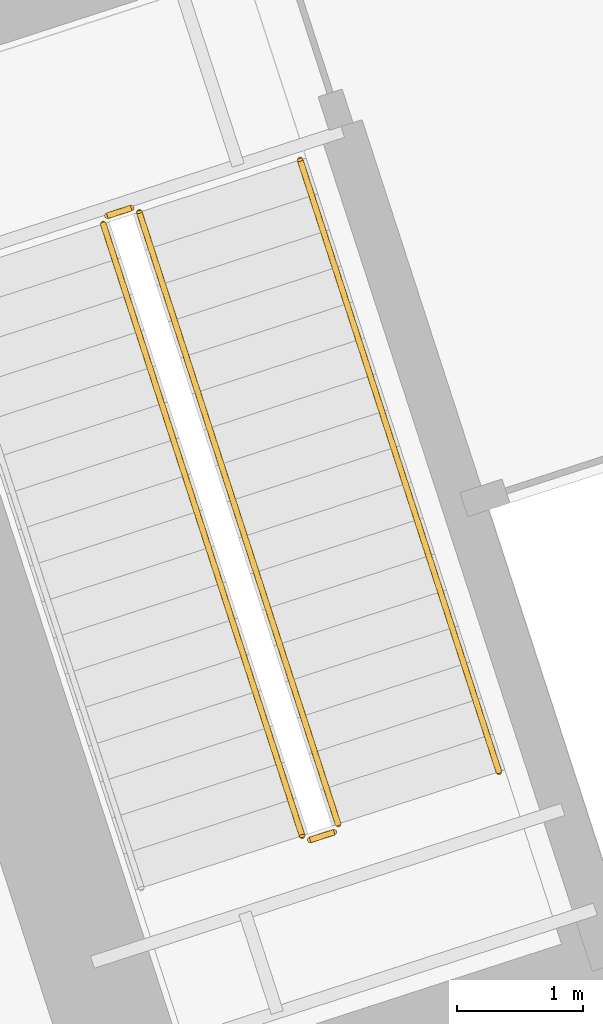
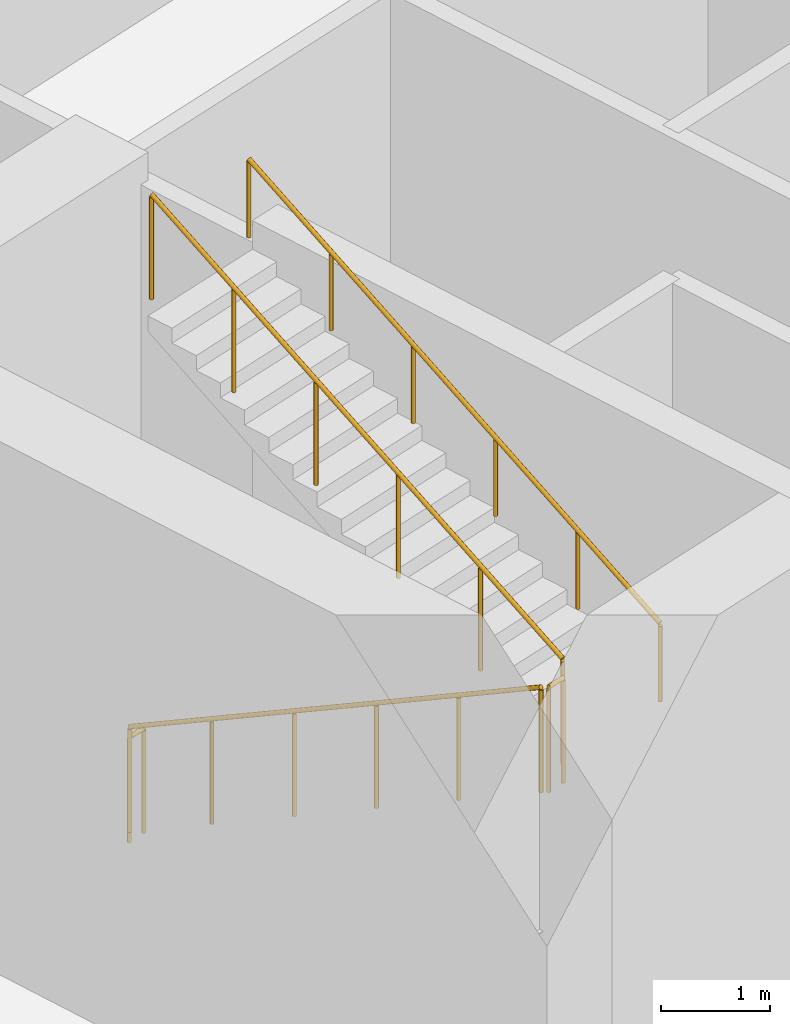
# One storey, part 25 of 31: 5 railings.
"""IFC4 building model written with IfcOpenShell, lengths in metres."""

from ifc_helpers import new_model, si_unit, direction, frame, origin, origin_2d, place, context, subcontext, project, spatial, circle, extrude, material, type_object, element, save


model = new_model("IFC4")

# Units and contexts
model_context = context("Model", 3, precision=1e-05, world=origin(), true_north=direction((0.0, 1.0)))
body_context = subcontext(model_context, "Body", "Model", "MODEL_VIEW")
ifc_project = project(units=[si_unit("LENGTHUNIT", "METRE"), si_unit("AREAUNIT", "SQUARE_METRE"), si_unit("VOLUMEUNIT", "CUBIC_METRE"), si_unit("PLANEANGLEUNIT", "RADIAN"), si_unit("MASSUNIT", "GRAM", prefix="KILO")], contexts=[model_context])

# Site, building, storey
site_placement = place(None, origin())
site = spatial("IfcSite", under=ifc_project, at=site_placement, CompositionType="ELEMENT")
building_placement = place(site_placement, origin())
building = spatial("IfcBuilding", under=site, at=building_placement, Name="Qiaolan Cultural Towers", CompositionType="ELEMENT")
storey_placement = place(building_placement, origin())
storey = spatial("IfcBuildingStorey", under=building, at=storey_placement, Name="L00", CompositionType="ELEMENT", Elevation=0.0)

# Railings
ifc_material_1 = material(Name="Galvanized Painted Steel Stair Guardrail", Category="steel")
railing_type_1 = type_object("IfcRailingType", Name="RL-STAIR-GRD", PredefinedType="GUARDRAIL", material=ifc_material_1)
railing_1_placement = place(storey_placement, frame((88.60205078125, 19.82421875, 0.166748046875)))
element("IfcRailing", 1, at=railing_1_placement, inside=storey, type_object=railing_type_1, Name="L00 ST-E1 stair guard 1", PredefinedType="GUARDRAIL", context=body_context, shape_type="SweptSolid", body=[
    extrude(circle(Radius=0.02392578125, at=origin_2d()), frame((0.0, 0.0, 1.17578125), z_axis=(0.270162499604, -0.831369017911, 0.485631320927), x_axis=(0.951044973649, 0.30905251673, 0.0)), (0.0, 0.0, 1.0), 5.834228515625),
    extrude(circle(Radius=0.02099609375, at=origin_2d()), origin(), (0.0, 0.0, 1.0), 1.15185546875),
    extrude(circle(Radius=0.02099609375, at=origin_2d()), frame((0.315185546875, -0.969970703125, 0.566650390625)), (0.0, 0.0, 1.0), 1.15185546875),
    extrude(circle(Radius=0.02099609375, at=origin_2d()), frame((0.63037109375, -1.940185546875, 1.13330078125)), (0.0, 0.0, 1.0), 1.15185546875),
    extrude(circle(Radius=0.02099609375, at=origin_2d()), frame((0.94580078125, -2.91015625, 1.699951171875)), (0.0, 0.0, 1.0), 1.15185546875),
    extrude(circle(Radius=0.02099609375, at=origin_2d()), frame((1.260986328125, -3.88037109375, 2.2666015625)), (0.0, 0.0, 1.0), 1.15185546875),
    extrude(circle(Radius=0.02099609375, at=origin_2d()), frame((1.576171875, -4.850341796875, 2.833251953125)), (0.0, 0.0, 1.0), 1.15185546875),
])
railing_2_placement = place(storey_placement, frame((90.2412109375, 14.941650390625, 3.0)))
element("IfcRailing", 2, at=railing_2_placement, inside=storey, type_object=railing_type_1, Name="L00 ST-E1 stair guard 2", PredefinedType="GUARDRAIL", context=body_context, shape_type="SweptSolid", body=[
    extrude(circle(Radius=0.02392578125, at=origin_2d()), frame((0.0, 0.0, 1.17578125), z_axis=(0.951096855055, 0.308892816854, 0.0), x_axis=(-0.308892816854, 0.951096855055, 0.0)), (0.0, 0.0, 1.0), 0.199951171875),
    extrude(circle(Radius=0.02099609375, at=origin_2d()), origin(), (0.0, 0.0, 1.0), 1.15185546875),
    extrude(circle(Radius=0.02099609375, at=origin_2d()), frame((0.190185546875, 0.061767578125, 0.0)), (0.0, 0.0, 1.0), 1.15185546875),
])
railing_3_placement = place(storey_placement, frame((90.46337890625, 15.066650390625, 3.166748046875)))
element("IfcRailing", 3, at=railing_3_placement, inside=storey, type_object=railing_type_1, Name="L00 ST-E1 stair guard 3", PredefinedType="GUARDRAIL", context=body_context, shape_type="SweptSolid", body=[
    extrude(circle(Radius=0.02392578125, at=origin_2d()), frame((0.0, 0.0, 1.17578125), z_axis=(-0.270123706514, 0.831378416316, 0.48563681086), x_axis=(-0.951059043131, -0.309009217467, 0.0)), (0.0, 0.0, 1.0), 5.833984375),
    extrude(circle(Radius=0.02099609375, at=origin_2d()), origin(), (0.0, 0.0, 1.0), 1.15185546875),
    extrude(circle(Radius=0.02099609375, at=origin_2d()), frame((-0.315185546875, 0.969970703125, 0.566650390625)), (0.0, 0.0, 1.0), 1.15185546875),
    extrude(circle(Radius=0.02099609375, at=origin_2d()), frame((-0.63037109375, 1.940185546875, 1.13330078125)), (0.0, 0.0, 1.0), 1.15185546875),
    extrude(circle(Radius=0.02099609375, at=origin_2d()), frame((-0.945556640625, 2.91015625, 1.699951171875)), (0.0, 0.0, 1.0), 1.15185546875),
    extrude(circle(Radius=0.02099609375, at=origin_2d()), frame((-1.2607421875, 3.88037109375, 2.2666015625)), (0.0, 0.0, 1.0), 1.15185546875),
    extrude(circle(Radius=0.02099609375, at=origin_2d()), frame((-1.575927734375, 4.850341796875, 2.833251953125)), (0.0, 0.0, 1.0), 1.15185546875),
])
railing_4_placement = place(storey_placement, frame((88.63427734375, 19.88720703125, 0.0)))
element("IfcRailing", 4, at=railing_4_placement, inside=storey, type_object=railing_type_1, Name="L00 ST-E1 stair guard 4", PredefinedType="GUARDRAIL", context=body_context, shape_type="SweptSolid", body=[
    extrude(circle(Radius=0.02392578125, at=origin_2d()), frame((0.0, 0.0, 1.17578125), z_axis=(0.951096855055, 0.308892816854, 0.0), x_axis=(-0.308892816854, 0.951096855055, 0.0)), (0.0, 0.0, 1.0), 0.199951171875),
    extrude(circle(Radius=0.02099609375, at=origin_2d()), origin(), (0.0, 0.0, 1.0), 1.15185546875),
    extrude(circle(Radius=0.02099609375, at=origin_2d()), frame((0.190185546875, 0.061767578125, 0.0)), (0.0, 0.0, 1.0), 1.15185546875),
])
ifc_material_2 = material(Name="Stainless Steel S30408 Tubular Handrail", Category="steel")
railing_type_2 = type_object("IfcRailingType", Name="RL-STAIR-HR", PredefinedType="HANDRAIL", material=ifc_material_2)
railing_5_placement = place(storey_placement, frame((91.73779296875, 15.480712890625, 3.166748046875)))
element("IfcRailing", 5, at=railing_5_placement, inside=storey, type_object=railing_type_2, Name="L00 ST-E1 stair handrail 2", PredefinedType="HANDRAIL", context=body_context, shape_type="SweptSolid", body=[
    extrude(circle(Radius=0.02392578125, at=origin_2d()), frame((0.0, 0.0, 0.8759765625), z_axis=(-0.270123706514, 0.831378416316, 0.48563681086), x_axis=(-0.951059043131, -0.309009217467, 0.0)), (0.0, 0.0, 1.0), 5.833984375),
    extrude(circle(Radius=0.02099609375, at=origin_2d()), origin(), (0.0, 0.0, 1.0), 0.851806640625),
    extrude(circle(Radius=0.02099609375, at=origin_2d()), frame((-0.315185546875, 0.969970703125, 0.566650390625)), (0.0, 0.0, 1.0), 0.851806640625),
    extrude(circle(Radius=0.02099609375, at=origin_2d()), frame((-0.63037109375, 1.940185546875, 1.13330078125)), (0.0, 0.0, 1.0), 0.851806640625),
    extrude(circle(Radius=0.02099609375, at=origin_2d()), frame((-0.945556640625, 2.91015625, 1.699951171875)), (0.0, 0.0, 1.0), 0.851806640625),
    extrude(circle(Radius=0.02099609375, at=origin_2d()), frame((-1.2607421875, 3.88037109375, 2.2666015625)), (0.0, 0.0, 1.0), 0.851806640625),
    extrude(circle(Radius=0.02099609375, at=origin_2d()), frame((-1.575927734375, 4.850341796875, 2.833251953125)), (0.0, 0.0, 1.0), 0.851806640625),
])

save(model, "model.ifc")
